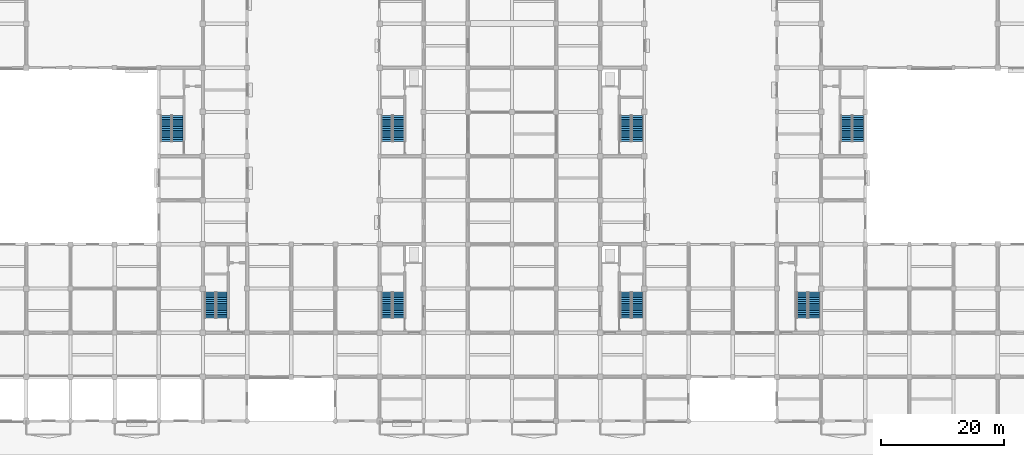
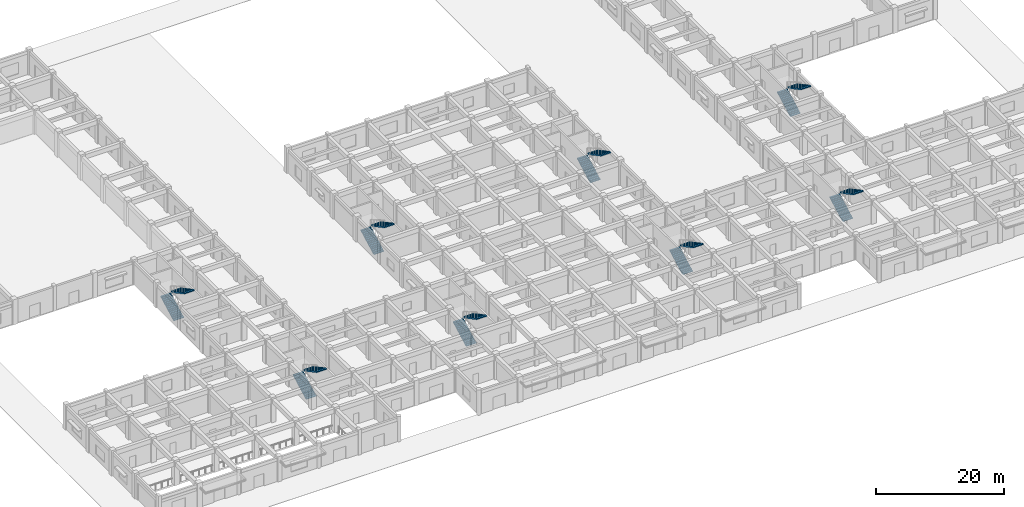
# One storey, part 22 of 37: 16 stair flights, 8 elements without a shape of their own.
"""IFC4 building model written with IfcOpenShell, lengths in metres."""

from ifc_helpers import new_model, si_unit, direction, frame, origin, place, context, subcontext, project, spatial, polyline, outline, extrude, material, type_object, element, aggregate, save


model = new_model("IFC4")

# Units and contexts
model_context = context("Model", 3, precision=1e-05, world=origin(), true_north=direction((0.0, 1.0)))
body_context = subcontext(model_context, "Body", "Model", "MODEL_VIEW")
ifc_project = project(units=[si_unit("LENGTHUNIT", "METRE"), si_unit("AREAUNIT", "SQUARE_METRE"), si_unit("VOLUMEUNIT", "CUBIC_METRE"), si_unit("PLANEANGLEUNIT", "RADIAN"), si_unit("MASSUNIT", "GRAM", prefix="KILO")], contexts=[model_context])

# Site, building, storey
site_placement = place(None, origin())
site = spatial("IfcSite", under=ifc_project, at=site_placement, CompositionType="ELEMENT")
building_placement = place(site_placement, origin())
building = spatial("IfcBuilding", under=site, at=building_placement, Name="Cendaluz Park School", CompositionType="ELEMENT")
storey_placement = place(building_placement, origin())
storey = spatial("IfcBuildingStorey", under=building, at=storey_placement, Name="L00", CompositionType="ELEMENT", Elevation=0.0)

# Stair, stair flights
ifc_material = material(Name="Concrete C40/50", Category="concrete")
stair_type = type_object("IfcStairType", Name="ST-480-180", PredefinedType="HALF_TURN_STAIR", material=ifc_material)
stair_1_placement = place(storey_placement, origin())
stair_1 = element("IfcStair", 1, at=stair_1_placement, inside=storey, type_object=stair_type, Name="ST-L00-C1", PredefinedType="HALF_TURN_STAIR")
stair_flight_type = type_object("IfcStairFlightType", Name="SF-15-160-180", PredefinedType="STRAIGHT", material=ifc_material)
stair_flight_1_placement = place(storey_placement, frame((65.989990234375, 16.800048828125, 0.0), z_axis=(0.0, 0.0, 1.0), x_axis=(0.0, 1.0, 0.0)))
stair_flight_1 = element("IfcStairFlight", 2, at=stair_flight_1_placement, type_object=stair_flight_type, Name="SF-L00-C1-1", NumberOfRisers=15, NumberOfTreads=14, PredefinedType="STRAIGHT", RiserHeight=0.16, TreadLength=0.3, context=body_context, shape_type="SweptSolid", body=[
    extrude(outline(polyline([(0.0, 0.0), (0.0, 0.159912109375), (0.300048828125, 0.159912109375), (0.300048828125, 0.320068359375), (0.60009765625, 0.320068359375), (0.60009765625, 0.47998046875), (0.89990234375, 0.47998046875), (0.89990234375, 0.639892578125), (1.199951171875, 0.639892578125), (1.199951171875, 0.800048828125), (1.5, 0.800048828125), (1.5, 0.9599609375), (1.800048828125, 0.9599609375), (1.800048828125, 1.1201171875), (2.10009765625, 1.1201171875), (2.10009765625, 1.280029296875), (2.39990234375, 1.280029296875), (2.39990234375, 1.43994140625), (2.699951171875, 1.43994140625), (2.699951171875, 1.60009765625), (3.0, 1.60009765625), (3.0, 1.760009765625), (3.300048828125, 1.760009765625), (3.300048828125, 1.919921875), (3.60009765625, 1.919921875), (3.60009765625, 2.080078125), (3.89990234375, 2.080078125), (3.89990234375, 2.239990234375), (4.199951171875, 2.239990234375), (4.199951171875, 2.39990234375), (4.199951171875, 2.0361328125), (0.38232421875, 0.0), (0.0, 0.0)])), frame((0.0, 0.89990234375, 0.0), z_axis=(0.0, -1.0, 0.0), x_axis=(1.0, 0.0, 0.0)), (0.0, 0.0, 1.0), 1.800048828125),
])
stair_flight_2_placement = place(storey_placement, frame((67.860107421875, 21.0, 2.39990234375), z_axis=(0.0, 0.0, 1.0), x_axis=(0.0, -1.0, 0.0)))
stair_flight_2 = element("IfcStairFlight", 3, at=stair_flight_2_placement, type_object=stair_flight_type, Name="SF-L00-C1-2", NumberOfRisers=15, NumberOfTreads=14, PredefinedType="STRAIGHT", RiserHeight=0.16, TreadLength=0.3, context=body_context, shape_type="SweptSolid", body=[
    extrude(outline(polyline([(0.0, 0.0), (0.0, 0.159912109375), (0.300048828125, 0.159912109375), (0.300048828125, 0.320068359375), (0.60009765625, 0.320068359375), (0.60009765625, 0.47998046875), (0.89990234375, 0.47998046875), (0.89990234375, 0.639892578125), (1.199951171875, 0.639892578125), (1.199951171875, 0.800048828125), (1.5, 0.800048828125), (1.5, 0.9599609375), (1.800048828125, 0.9599609375), (1.800048828125, 1.1201171875), (2.10009765625, 1.1201171875), (2.10009765625, 1.280029296875), (2.39990234375, 1.280029296875), (2.39990234375, 1.43994140625), (2.699951171875, 1.43994140625), (2.699951171875, 1.60009765625), (3.0, 1.60009765625), (3.0, 1.760009765625), (3.300048828125, 1.760009765625), (3.300048828125, 1.919921875), (3.60009765625, 1.919921875), (3.60009765625, 2.080078125), (3.89990234375, 2.080078125), (3.89990234375, 2.239990234375), (4.199951171875, 2.239990234375), (4.199951171875, 2.39990234375), (4.199951171875, 2.0361328125), (0.38232421875, 0.0), (0.0, 0.0)])), frame((0.0, 0.89990234375, 0.0), z_axis=(0.0, -1.0, 0.0), x_axis=(1.0, 0.0, 0.0)), (0.0, 0.0, 1.0), 1.800048828125),
])
aggregate(stair_1, [stair_flight_1, stair_flight_2])

stair_2_placement = place(storey_placement, origin())
stair_2 = element("IfcStair", 4, at=stair_2_placement, inside=storey, type_object=stair_type, Name="ST-L00-C2", PredefinedType="HALF_TURN_STAIR")
stair_flight_3_placement = place(storey_placement, frame((104.93994140625, 16.800048828125, 0.0), z_axis=(0.0, 0.0, 1.0), x_axis=(0.0, 1.0, 0.0)))
stair_flight_3 = element("IfcStairFlight", 5, at=stair_flight_3_placement, type_object=stair_flight_type, Name="SF-L00-C2-1", NumberOfRisers=15, NumberOfTreads=14, PredefinedType="STRAIGHT", RiserHeight=0.16, TreadLength=0.3, context=body_context, shape_type="SweptSolid", body=[
    extrude(outline(polyline([(0.0, 0.0), (0.0, 0.159912109375), (0.300048828125, 0.159912109375), (0.300048828125, 0.320068359375), (0.60009765625, 0.320068359375), (0.60009765625, 0.47998046875), (0.89990234375, 0.47998046875), (0.89990234375, 0.639892578125), (1.199951171875, 0.639892578125), (1.199951171875, 0.800048828125), (1.5, 0.800048828125), (1.5, 0.9599609375), (1.800048828125, 0.9599609375), (1.800048828125, 1.1201171875), (2.10009765625, 1.1201171875), (2.10009765625, 1.280029296875), (2.39990234375, 1.280029296875), (2.39990234375, 1.43994140625), (2.699951171875, 1.43994140625), (2.699951171875, 1.60009765625), (3.0, 1.60009765625), (3.0, 1.760009765625), (3.300048828125, 1.760009765625), (3.300048828125, 1.919921875), (3.60009765625, 1.919921875), (3.60009765625, 2.080078125), (3.89990234375, 2.080078125), (3.89990234375, 2.239990234375), (4.199951171875, 2.239990234375), (4.199951171875, 2.39990234375), (4.199951171875, 2.0361328125), (0.38232421875, 0.0), (0.0, 0.0)])), frame((0.0, 0.89990234375, 0.0), z_axis=(0.0, -1.0, 0.0), x_axis=(1.0, 0.0, 0.0)), (0.0, 0.0, 1.0), 1.800048828125),
])
stair_flight_4_placement = place(storey_placement, frame((106.81005859375, 21.0, 2.39990234375), z_axis=(0.0, 0.0, 1.0), x_axis=(0.0, -1.0, 0.0)))
stair_flight_4 = element("IfcStairFlight", 6, at=stair_flight_4_placement, type_object=stair_flight_type, Name="SF-L00-C2-2", NumberOfRisers=15, NumberOfTreads=14, PredefinedType="STRAIGHT", RiserHeight=0.16, TreadLength=0.3, context=body_context, shape_type="SweptSolid", body=[
    extrude(outline(polyline([(0.0, 0.0), (0.0, 0.159912109375), (0.300048828125, 0.159912109375), (0.300048828125, 0.320068359375), (0.60009765625, 0.320068359375), (0.60009765625, 0.47998046875), (0.89990234375, 0.47998046875), (0.89990234375, 0.639892578125), (1.199951171875, 0.639892578125), (1.199951171875, 0.800048828125), (1.5, 0.800048828125), (1.5, 0.9599609375), (1.800048828125, 0.9599609375), (1.800048828125, 1.1201171875), (2.10009765625, 1.1201171875), (2.10009765625, 1.280029296875), (2.39990234375, 1.280029296875), (2.39990234375, 1.43994140625), (2.699951171875, 1.43994140625), (2.699951171875, 1.60009765625), (3.0, 1.60009765625), (3.0, 1.760009765625), (3.300048828125, 1.760009765625), (3.300048828125, 1.919921875), (3.60009765625, 1.919921875), (3.60009765625, 2.080078125), (3.89990234375, 2.080078125), (3.89990234375, 2.239990234375), (4.199951171875, 2.239990234375), (4.199951171875, 2.39990234375), (4.199951171875, 2.0361328125), (0.38232421875, 0.0), (0.0, 0.0)])), frame((0.0, 0.89990234375, 0.0), z_axis=(0.0, -1.0, 0.0), x_axis=(1.0, 0.0, 0.0)), (0.0, 0.0, 1.0), 1.800048828125),
])
aggregate(stair_2, [stair_flight_3, stair_flight_4])

stair_3_placement = place(storey_placement, origin())
stair_3 = element("IfcStair", 7, at=stair_3_placement, inside=storey, type_object=stair_type, Name="ST-L00-C3", PredefinedType="HALF_TURN_STAIR")
stair_flight_5_placement = place(storey_placement, frame((65.989990234375, 45.60009765625, 0.0), z_axis=(0.0, 0.0, 1.0), x_axis=(0.0, 1.0, 0.0)))
stair_flight_5 = element("IfcStairFlight", 8, at=stair_flight_5_placement, type_object=stair_flight_type, Name="SF-L00-C3-1", NumberOfRisers=15, NumberOfTreads=14, PredefinedType="STRAIGHT", RiserHeight=0.16, TreadLength=0.3, context=body_context, shape_type="SweptSolid", body=[
    extrude(outline(polyline([(0.0, 0.0), (0.0, 0.159912109375), (0.300048828125, 0.159912109375), (0.300048828125, 0.320068359375), (0.60009765625, 0.320068359375), (0.60009765625, 0.47998046875), (0.89990234375, 0.47998046875), (0.89990234375, 0.639892578125), (1.199951171875, 0.639892578125), (1.199951171875, 0.800048828125), (1.5, 0.800048828125), (1.5, 0.9599609375), (1.800048828125, 0.9599609375), (1.800048828125, 1.1201171875), (2.10009765625, 1.1201171875), (2.10009765625, 1.280029296875), (2.39990234375, 1.280029296875), (2.39990234375, 1.43994140625), (2.699951171875, 1.43994140625), (2.699951171875, 1.60009765625), (3.0, 1.60009765625), (3.0, 1.760009765625), (3.300048828125, 1.760009765625), (3.300048828125, 1.919921875), (3.60009765625, 1.919921875), (3.60009765625, 2.080078125), (3.89990234375, 2.080078125), (3.89990234375, 2.239990234375), (4.199951171875, 2.239990234375), (4.199951171875, 2.39990234375), (4.199951171875, 2.0361328125), (0.38232421875, 0.0), (0.0, 0.0)])), frame((0.0, 0.89990234375, 0.0), z_axis=(0.0, -1.0, 0.0), x_axis=(1.0, 0.0, 0.0)), (0.0, 0.0, 1.0), 1.800048828125),
])
stair_flight_6_placement = place(storey_placement, frame((67.860107421875, 49.800048828125, 2.39990234375), z_axis=(0.0, 0.0, 1.0), x_axis=(0.0, -1.0, 0.0)))
stair_flight_6 = element("IfcStairFlight", 9, at=stair_flight_6_placement, type_object=stair_flight_type, Name="SF-L00-C3-2", NumberOfRisers=15, NumberOfTreads=14, PredefinedType="STRAIGHT", RiserHeight=0.16, TreadLength=0.3, context=body_context, shape_type="SweptSolid", body=[
    extrude(outline(polyline([(0.0, 0.0), (0.0, 0.159912109375), (0.300048828125, 0.159912109375), (0.300048828125, 0.320068359375), (0.60009765625, 0.320068359375), (0.60009765625, 0.47998046875), (0.89990234375, 0.47998046875), (0.89990234375, 0.639892578125), (1.199951171875, 0.639892578125), (1.199951171875, 0.800048828125), (1.5, 0.800048828125), (1.5, 0.9599609375), (1.800048828125, 0.9599609375), (1.800048828125, 1.1201171875), (2.10009765625, 1.1201171875), (2.10009765625, 1.280029296875), (2.39990234375, 1.280029296875), (2.39990234375, 1.43994140625), (2.699951171875, 1.43994140625), (2.699951171875, 1.60009765625), (3.0, 1.60009765625), (3.0, 1.760009765625), (3.300048828125, 1.760009765625), (3.300048828125, 1.919921875), (3.60009765625, 1.919921875), (3.60009765625, 2.080078125), (3.89990234375, 2.080078125), (3.89990234375, 2.239990234375), (4.199951171875, 2.239990234375), (4.199951171875, 2.39990234375), (4.199951171875, 2.0361328125), (0.38232421875, 0.0), (0.0, 0.0)])), frame((0.0, 0.89990234375, 0.0), z_axis=(0.0, -1.0, 0.0), x_axis=(1.0, 0.0, 0.0)), (0.0, 0.0, 1.0), 1.800048828125),
])
aggregate(stair_3, [stair_flight_5, stair_flight_6])

stair_4_placement = place(storey_placement, origin())
stair_4 = element("IfcStair", 10, at=stair_4_placement, inside=storey, type_object=stair_type, Name="ST-L00-C4", PredefinedType="HALF_TURN_STAIR")
stair_flight_7_placement = place(storey_placement, frame((104.93994140625, 45.60009765625, 0.0), z_axis=(0.0, 0.0, 1.0), x_axis=(0.0, 1.0, 0.0)))
stair_flight_7 = element("IfcStairFlight", 11, at=stair_flight_7_placement, type_object=stair_flight_type, Name="SF-L00-C4-1", NumberOfRisers=15, NumberOfTreads=14, PredefinedType="STRAIGHT", RiserHeight=0.16, TreadLength=0.3, context=body_context, shape_type="SweptSolid", body=[
    extrude(outline(polyline([(0.0, 0.0), (0.0, 0.159912109375), (0.300048828125, 0.159912109375), (0.300048828125, 0.320068359375), (0.60009765625, 0.320068359375), (0.60009765625, 0.47998046875), (0.89990234375, 0.47998046875), (0.89990234375, 0.639892578125), (1.199951171875, 0.639892578125), (1.199951171875, 0.800048828125), (1.5, 0.800048828125), (1.5, 0.9599609375), (1.800048828125, 0.9599609375), (1.800048828125, 1.1201171875), (2.10009765625, 1.1201171875), (2.10009765625, 1.280029296875), (2.39990234375, 1.280029296875), (2.39990234375, 1.43994140625), (2.699951171875, 1.43994140625), (2.699951171875, 1.60009765625), (3.0, 1.60009765625), (3.0, 1.760009765625), (3.300048828125, 1.760009765625), (3.300048828125, 1.919921875), (3.60009765625, 1.919921875), (3.60009765625, 2.080078125), (3.89990234375, 2.080078125), (3.89990234375, 2.239990234375), (4.199951171875, 2.239990234375), (4.199951171875, 2.39990234375), (4.199951171875, 2.0361328125), (0.38232421875, 0.0), (0.0, 0.0)])), frame((0.0, 0.89990234375, 0.0), z_axis=(0.0, -1.0, 0.0), x_axis=(1.0, 0.0, 0.0)), (0.0, 0.0, 1.0), 1.800048828125),
])
stair_flight_8_placement = place(storey_placement, frame((106.81005859375, 49.800048828125, 2.39990234375), z_axis=(0.0, 0.0, 1.0), x_axis=(0.0, -1.0, 0.0)))
stair_flight_8 = element("IfcStairFlight", 12, at=stair_flight_8_placement, type_object=stair_flight_type, Name="SF-L00-C4-2", NumberOfRisers=15, NumberOfTreads=14, PredefinedType="STRAIGHT", RiserHeight=0.16, TreadLength=0.3, context=body_context, shape_type="SweptSolid", body=[
    extrude(outline(polyline([(0.0, 0.0), (0.0, 0.159912109375), (0.300048828125, 0.159912109375), (0.300048828125, 0.320068359375), (0.60009765625, 0.320068359375), (0.60009765625, 0.47998046875), (0.89990234375, 0.47998046875), (0.89990234375, 0.639892578125), (1.199951171875, 0.639892578125), (1.199951171875, 0.800048828125), (1.5, 0.800048828125), (1.5, 0.9599609375), (1.800048828125, 0.9599609375), (1.800048828125, 1.1201171875), (2.10009765625, 1.1201171875), (2.10009765625, 1.280029296875), (2.39990234375, 1.280029296875), (2.39990234375, 1.43994140625), (2.699951171875, 1.43994140625), (2.699951171875, 1.60009765625), (3.0, 1.60009765625), (3.0, 1.760009765625), (3.300048828125, 1.760009765625), (3.300048828125, 1.919921875), (3.60009765625, 1.919921875), (3.60009765625, 2.080078125), (3.89990234375, 2.080078125), (3.89990234375, 2.239990234375), (4.199951171875, 2.239990234375), (4.199951171875, 2.39990234375), (4.199951171875, 2.0361328125), (0.38232421875, 0.0), (0.0, 0.0)])), frame((0.0, 0.89990234375, 0.0), z_axis=(0.0, -1.0, 0.0), x_axis=(1.0, 0.0, 0.0)), (0.0, 0.0, 1.0), 1.800048828125),
])
aggregate(stair_4, [stair_flight_7, stair_flight_8])

stair_5_placement = place(storey_placement, origin())
stair_5 = element("IfcStair", 13, at=stair_5_placement, inside=storey, type_object=stair_type, Name="ST-L00-C5", PredefinedType="HALF_TURN_STAIR")
stair_flight_9_placement = place(storey_placement, frame((37.18994140625, 16.800048828125, 0.0), z_axis=(0.0, 0.0, 1.0), x_axis=(0.0, 1.0, 0.0)))
stair_flight_9 = element("IfcStairFlight", 14, at=stair_flight_9_placement, type_object=stair_flight_type, Name="SF-L00-C5-1", NumberOfRisers=15, NumberOfTreads=14, PredefinedType="STRAIGHT", RiserHeight=0.16, TreadLength=0.3, context=body_context, shape_type="SweptSolid", body=[
    extrude(outline(polyline([(0.0, 0.0), (0.0, 0.159912109375), (0.300048828125, 0.159912109375), (0.300048828125, 0.320068359375), (0.60009765625, 0.320068359375), (0.60009765625, 0.47998046875), (0.89990234375, 0.47998046875), (0.89990234375, 0.639892578125), (1.199951171875, 0.639892578125), (1.199951171875, 0.800048828125), (1.5, 0.800048828125), (1.5, 0.9599609375), (1.800048828125, 0.9599609375), (1.800048828125, 1.1201171875), (2.10009765625, 1.1201171875), (2.10009765625, 1.280029296875), (2.39990234375, 1.280029296875), (2.39990234375, 1.43994140625), (2.699951171875, 1.43994140625), (2.699951171875, 1.60009765625), (3.0, 1.60009765625), (3.0, 1.760009765625), (3.300048828125, 1.760009765625), (3.300048828125, 1.919921875), (3.60009765625, 1.919921875), (3.60009765625, 2.080078125), (3.89990234375, 2.080078125), (3.89990234375, 2.239990234375), (4.199951171875, 2.239990234375), (4.199951171875, 2.39990234375), (4.199951171875, 2.0361328125), (0.38232421875, 0.0), (0.0, 0.0)])), frame((0.0, 0.89990234375, 0.0), z_axis=(0.0, -1.0, 0.0), x_axis=(1.0, 0.0, 0.0)), (0.0, 0.0, 1.0), 1.800048828125),
])
stair_flight_10_placement = place(storey_placement, frame((39.06005859375, 21.0, 2.39990234375), z_axis=(0.0, 0.0, 1.0), x_axis=(0.0, -1.0, 0.0)))
stair_flight_10 = element("IfcStairFlight", 15, at=stair_flight_10_placement, type_object=stair_flight_type, Name="SF-L00-C5-2", NumberOfRisers=15, NumberOfTreads=14, PredefinedType="STRAIGHT", RiserHeight=0.16, TreadLength=0.3, context=body_context, shape_type="SweptSolid", body=[
    extrude(outline(polyline([(0.0, 0.0), (0.0, 0.159912109375), (0.300048828125, 0.159912109375), (0.300048828125, 0.320068359375), (0.60009765625, 0.320068359375), (0.60009765625, 0.47998046875), (0.89990234375, 0.47998046875), (0.89990234375, 0.639892578125), (1.199951171875, 0.639892578125), (1.199951171875, 0.800048828125), (1.5, 0.800048828125), (1.5, 0.9599609375), (1.800048828125, 0.9599609375), (1.800048828125, 1.1201171875), (2.10009765625, 1.1201171875), (2.10009765625, 1.280029296875), (2.39990234375, 1.280029296875), (2.39990234375, 1.43994140625), (2.699951171875, 1.43994140625), (2.699951171875, 1.60009765625), (3.0, 1.60009765625), (3.0, 1.760009765625), (3.300048828125, 1.760009765625), (3.300048828125, 1.919921875), (3.60009765625, 1.919921875), (3.60009765625, 2.080078125), (3.89990234375, 2.080078125), (3.89990234375, 2.239990234375), (4.199951171875, 2.239990234375), (4.199951171875, 2.39990234375), (4.199951171875, 2.0361328125), (0.38232421875, 0.0), (0.0, 0.0)])), frame((0.0, 0.89990234375, 0.0), z_axis=(0.0, -1.0, 0.0), x_axis=(1.0, 0.0, 0.0)), (0.0, 0.0, 1.0), 1.800048828125),
])
aggregate(stair_5, [stair_flight_9, stair_flight_10])

stair_6_placement = place(storey_placement, origin())
stair_6 = element("IfcStair", 16, at=stair_6_placement, inside=storey, type_object=stair_type, Name="ST-L00-C6", PredefinedType="HALF_TURN_STAIR")
stair_flight_11_placement = place(storey_placement, frame((133.739990234375, 16.800048828125, 0.0), z_axis=(0.0, 0.0, 1.0), x_axis=(0.0, 1.0, 0.0)))
stair_flight_11 = element("IfcStairFlight", 17, at=stair_flight_11_placement, type_object=stair_flight_type, Name="SF-L00-C6-1", NumberOfRisers=15, NumberOfTreads=14, PredefinedType="STRAIGHT", RiserHeight=0.16, TreadLength=0.3, context=body_context, shape_type="SweptSolid", body=[
    extrude(outline(polyline([(0.0, 0.0), (0.0, 0.159912109375), (0.300048828125, 0.159912109375), (0.300048828125, 0.320068359375), (0.60009765625, 0.320068359375), (0.60009765625, 0.47998046875), (0.89990234375, 0.47998046875), (0.89990234375, 0.639892578125), (1.199951171875, 0.639892578125), (1.199951171875, 0.800048828125), (1.5, 0.800048828125), (1.5, 0.9599609375), (1.800048828125, 0.9599609375), (1.800048828125, 1.1201171875), (2.10009765625, 1.1201171875), (2.10009765625, 1.280029296875), (2.39990234375, 1.280029296875), (2.39990234375, 1.43994140625), (2.699951171875, 1.43994140625), (2.699951171875, 1.60009765625), (3.0, 1.60009765625), (3.0, 1.760009765625), (3.300048828125, 1.760009765625), (3.300048828125, 1.919921875), (3.60009765625, 1.919921875), (3.60009765625, 2.080078125), (3.89990234375, 2.080078125), (3.89990234375, 2.239990234375), (4.199951171875, 2.239990234375), (4.199951171875, 2.39990234375), (4.199951171875, 2.0361328125), (0.38232421875, 0.0), (0.0, 0.0)])), frame((0.0, 0.89990234375, 0.0), z_axis=(0.0, -1.0, 0.0), x_axis=(1.0, 0.0, 0.0)), (0.0, 0.0, 1.0), 1.800048828125),
])
stair_flight_12_placement = place(storey_placement, frame((135.610107421875, 21.0, 2.39990234375), z_axis=(0.0, 0.0, 1.0), x_axis=(0.0, -1.0, 0.0)))
stair_flight_12 = element("IfcStairFlight", 18, at=stair_flight_12_placement, type_object=stair_flight_type, Name="SF-L00-C6-2", NumberOfRisers=15, NumberOfTreads=14, PredefinedType="STRAIGHT", RiserHeight=0.16, TreadLength=0.3, context=body_context, shape_type="SweptSolid", body=[
    extrude(outline(polyline([(0.0, 0.0), (0.0, 0.159912109375), (0.300048828125, 0.159912109375), (0.300048828125, 0.320068359375), (0.60009765625, 0.320068359375), (0.60009765625, 0.47998046875), (0.89990234375, 0.47998046875), (0.89990234375, 0.639892578125), (1.199951171875, 0.639892578125), (1.199951171875, 0.800048828125), (1.5, 0.800048828125), (1.5, 0.9599609375), (1.800048828125, 0.9599609375), (1.800048828125, 1.1201171875), (2.10009765625, 1.1201171875), (2.10009765625, 1.280029296875), (2.39990234375, 1.280029296875), (2.39990234375, 1.43994140625), (2.699951171875, 1.43994140625), (2.699951171875, 1.60009765625), (3.0, 1.60009765625), (3.0, 1.760009765625), (3.300048828125, 1.760009765625), (3.300048828125, 1.919921875), (3.60009765625, 1.919921875), (3.60009765625, 2.080078125), (3.89990234375, 2.080078125), (3.89990234375, 2.239990234375), (4.199951171875, 2.239990234375), (4.199951171875, 2.39990234375), (4.199951171875, 2.0361328125), (0.38232421875, 0.0), (0.0, 0.0)])), frame((0.0, 0.89990234375, 0.0), z_axis=(0.0, -1.0, 0.0), x_axis=(1.0, 0.0, 0.0)), (0.0, 0.0, 1.0), 1.800048828125),
])
aggregate(stair_6, [stair_flight_11, stair_flight_12])

stair_7_placement = place(storey_placement, origin())
stair_7 = element("IfcStair", 19, at=stair_7_placement, inside=storey, type_object=stair_type, Name="ST-L00-C7", PredefinedType="HALF_TURN_STAIR")
stair_flight_13_placement = place(storey_placement, frame((29.989990234375, 45.60009765625, 0.0), z_axis=(0.0, 0.0, 1.0), x_axis=(0.0, 1.0, 0.0)))
stair_flight_13 = element("IfcStairFlight", 20, at=stair_flight_13_placement, type_object=stair_flight_type, Name="SF-L00-C7-1", NumberOfRisers=15, NumberOfTreads=14, PredefinedType="STRAIGHT", RiserHeight=0.16, TreadLength=0.3, context=body_context, shape_type="SweptSolid", body=[
    extrude(outline(polyline([(0.0, 0.0), (0.0, 0.159912109375), (0.300048828125, 0.159912109375), (0.300048828125, 0.320068359375), (0.60009765625, 0.320068359375), (0.60009765625, 0.47998046875), (0.89990234375, 0.47998046875), (0.89990234375, 0.639892578125), (1.199951171875, 0.639892578125), (1.199951171875, 0.800048828125), (1.5, 0.800048828125), (1.5, 0.9599609375), (1.800048828125, 0.9599609375), (1.800048828125, 1.1201171875), (2.10009765625, 1.1201171875), (2.10009765625, 1.280029296875), (2.39990234375, 1.280029296875), (2.39990234375, 1.43994140625), (2.699951171875, 1.43994140625), (2.699951171875, 1.60009765625), (3.0, 1.60009765625), (3.0, 1.760009765625), (3.300048828125, 1.760009765625), (3.300048828125, 1.919921875), (3.60009765625, 1.919921875), (3.60009765625, 2.080078125), (3.89990234375, 2.080078125), (3.89990234375, 2.239990234375), (4.199951171875, 2.239990234375), (4.199951171875, 2.39990234375), (4.199951171875, 2.0361328125), (0.38232421875, 0.0), (0.0, 0.0)])), frame((0.0, 0.89990234375, 0.0), z_axis=(0.0, -1.0, 0.0), x_axis=(1.0, 0.0, 0.0)), (0.0, 0.0, 1.0), 1.800048828125),
])
stair_flight_14_placement = place(storey_placement, frame((31.860107421875, 49.800048828125, 2.39990234375), z_axis=(0.0, 0.0, 1.0), x_axis=(0.0, -1.0, 0.0)))
stair_flight_14 = element("IfcStairFlight", 21, at=stair_flight_14_placement, type_object=stair_flight_type, Name="SF-L00-C7-2", NumberOfRisers=15, NumberOfTreads=14, PredefinedType="STRAIGHT", RiserHeight=0.16, TreadLength=0.3, context=body_context, shape_type="SweptSolid", body=[
    extrude(outline(polyline([(0.0, 0.0), (0.0, 0.159912109375), (0.300048828125, 0.159912109375), (0.300048828125, 0.320068359375), (0.60009765625, 0.320068359375), (0.60009765625, 0.47998046875), (0.89990234375, 0.47998046875), (0.89990234375, 0.639892578125), (1.199951171875, 0.639892578125), (1.199951171875, 0.800048828125), (1.5, 0.800048828125), (1.5, 0.9599609375), (1.800048828125, 0.9599609375), (1.800048828125, 1.1201171875), (2.10009765625, 1.1201171875), (2.10009765625, 1.280029296875), (2.39990234375, 1.280029296875), (2.39990234375, 1.43994140625), (2.699951171875, 1.43994140625), (2.699951171875, 1.60009765625), (3.0, 1.60009765625), (3.0, 1.760009765625), (3.300048828125, 1.760009765625), (3.300048828125, 1.919921875), (3.60009765625, 1.919921875), (3.60009765625, 2.080078125), (3.89990234375, 2.080078125), (3.89990234375, 2.239990234375), (4.199951171875, 2.239990234375), (4.199951171875, 2.39990234375), (4.199951171875, 2.0361328125), (0.38232421875, 0.0), (0.0, 0.0)])), frame((0.0, 0.89990234375, 0.0), z_axis=(0.0, -1.0, 0.0), x_axis=(1.0, 0.0, 0.0)), (0.0, 0.0, 1.0), 1.800048828125),
])
aggregate(stair_7, [stair_flight_13, stair_flight_14])

stair_8_placement = place(storey_placement, origin())
stair_8 = element("IfcStair", 22, at=stair_8_placement, inside=storey, type_object=stair_type, Name="ST-L00-C8", PredefinedType="HALF_TURN_STAIR")
stair_flight_15_placement = place(storey_placement, frame((140.93994140625, 45.60009765625, 0.0), z_axis=(0.0, 0.0, 1.0), x_axis=(0.0, 1.0, 0.0)))
stair_flight_15 = element("IfcStairFlight", 23, at=stair_flight_15_placement, type_object=stair_flight_type, Name="SF-L00-C8-1", NumberOfRisers=15, NumberOfTreads=14, PredefinedType="STRAIGHT", RiserHeight=0.16, TreadLength=0.3, context=body_context, shape_type="SweptSolid", body=[
    extrude(outline(polyline([(0.0, 0.0), (0.0, 0.159912109375), (0.300048828125, 0.159912109375), (0.300048828125, 0.320068359375), (0.60009765625, 0.320068359375), (0.60009765625, 0.47998046875), (0.89990234375, 0.47998046875), (0.89990234375, 0.639892578125), (1.199951171875, 0.639892578125), (1.199951171875, 0.800048828125), (1.5, 0.800048828125), (1.5, 0.9599609375), (1.800048828125, 0.9599609375), (1.800048828125, 1.1201171875), (2.10009765625, 1.1201171875), (2.10009765625, 1.280029296875), (2.39990234375, 1.280029296875), (2.39990234375, 1.43994140625), (2.699951171875, 1.43994140625), (2.699951171875, 1.60009765625), (3.0, 1.60009765625), (3.0, 1.760009765625), (3.300048828125, 1.760009765625), (3.300048828125, 1.919921875), (3.60009765625, 1.919921875), (3.60009765625, 2.080078125), (3.89990234375, 2.080078125), (3.89990234375, 2.239990234375), (4.199951171875, 2.239990234375), (4.199951171875, 2.39990234375), (4.199951171875, 2.0361328125), (0.38232421875, 0.0), (0.0, 0.0)])), frame((0.0, 0.89990234375, 0.0), z_axis=(0.0, -1.0, 0.0), x_axis=(1.0, 0.0, 0.0)), (0.0, 0.0, 1.0), 1.800048828125),
])
stair_flight_16_placement = place(storey_placement, frame((142.81005859375, 49.800048828125, 2.39990234375), z_axis=(0.0, 0.0, 1.0), x_axis=(0.0, -1.0, 0.0)))
stair_flight_16 = element("IfcStairFlight", 24, at=stair_flight_16_placement, type_object=stair_flight_type, Name="SF-L00-C8-2", NumberOfRisers=15, NumberOfTreads=14, PredefinedType="STRAIGHT", RiserHeight=0.16, TreadLength=0.3, context=body_context, shape_type="SweptSolid", body=[
    extrude(outline(polyline([(0.0, 0.0), (0.0, 0.159912109375), (0.300048828125, 0.159912109375), (0.300048828125, 0.320068359375), (0.60009765625, 0.320068359375), (0.60009765625, 0.47998046875), (0.89990234375, 0.47998046875), (0.89990234375, 0.639892578125), (1.199951171875, 0.639892578125), (1.199951171875, 0.800048828125), (1.5, 0.800048828125), (1.5, 0.9599609375), (1.800048828125, 0.9599609375), (1.800048828125, 1.1201171875), (2.10009765625, 1.1201171875), (2.10009765625, 1.280029296875), (2.39990234375, 1.280029296875), (2.39990234375, 1.43994140625), (2.699951171875, 1.43994140625), (2.699951171875, 1.60009765625), (3.0, 1.60009765625), (3.0, 1.760009765625), (3.300048828125, 1.760009765625), (3.300048828125, 1.919921875), (3.60009765625, 1.919921875), (3.60009765625, 2.080078125), (3.89990234375, 2.080078125), (3.89990234375, 2.239990234375), (4.199951171875, 2.239990234375), (4.199951171875, 2.39990234375), (4.199951171875, 2.0361328125), (0.38232421875, 0.0), (0.0, 0.0)])), frame((0.0, 0.89990234375, 0.0), z_axis=(0.0, -1.0, 0.0), x_axis=(1.0, 0.0, 0.0)), (0.0, 0.0, 1.0), 1.800048828125),
])
aggregate(stair_8, [stair_flight_15, stair_flight_16])

save(model, "model.ifc")
